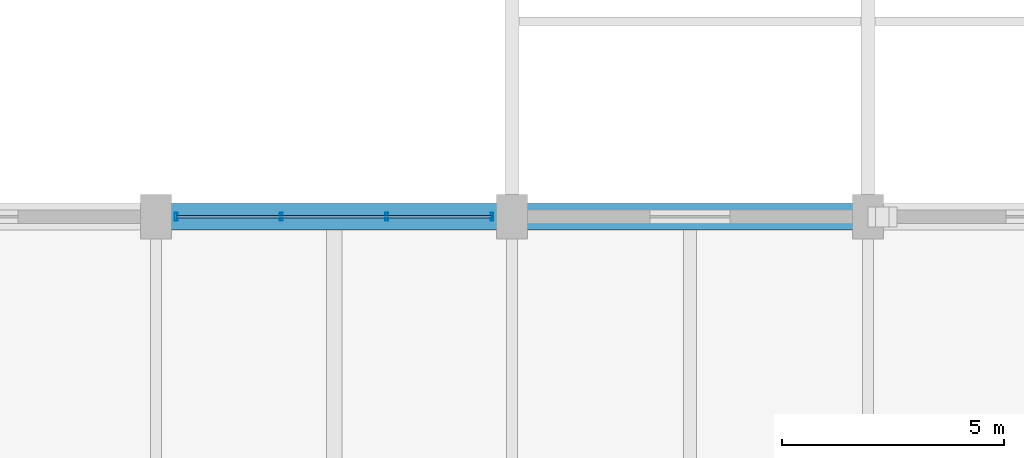
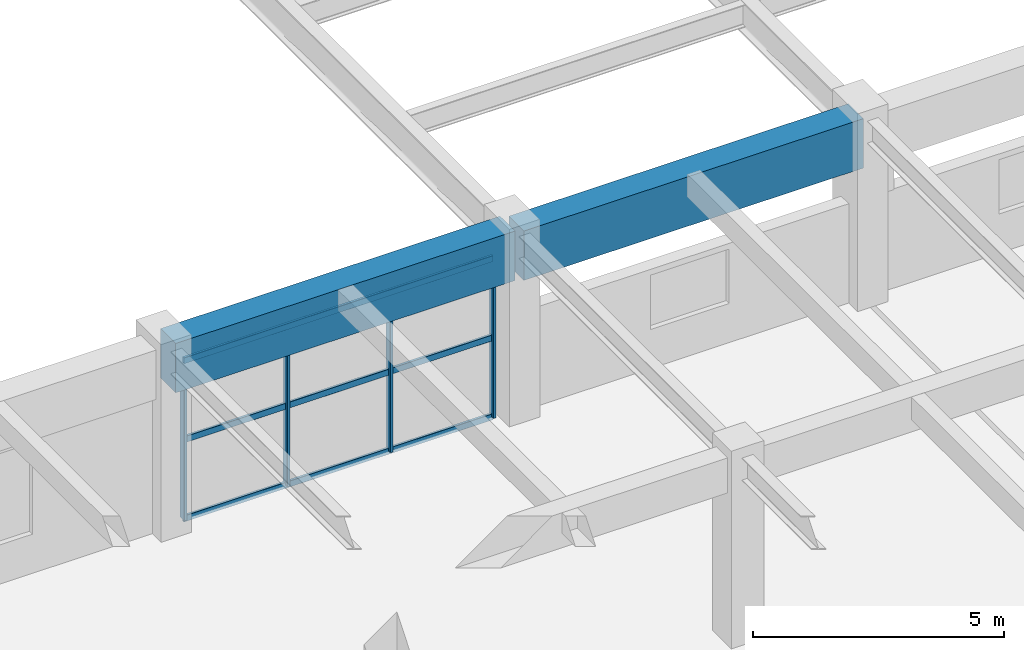
# One storey, part 16 of 144: 7 members, 2 beams, 1 element without a shape of its own.
"""IFC4 building model written with IfcOpenShell, lengths in metres."""

from ifc_helpers import new_model, si_unit, direction, frame, origin, origin_2d, place, context, subcontext, project, spatial, rectangle, hollow_rectangle, extrude, material, material_profile, profile_set, type_object, element, aggregate, save


model = new_model("IFC4")

# Units and contexts
model_context = context("Model", 3, precision=1e-05, world=origin(), true_north=direction((0.0, 1.0)))
body_context = subcontext(model_context, "Body", "Model", "MODEL_VIEW")
ifc_project = project(units=[si_unit("LENGTHUNIT", "METRE"), si_unit("AREAUNIT", "SQUARE_METRE"), si_unit("VOLUMEUNIT", "CUBIC_METRE"), si_unit("PLANEANGLEUNIT", "RADIAN"), si_unit("MASSUNIT", "GRAM", prefix="KILO")], contexts=[model_context])

# Site, building, storey
site_placement = place(None, origin())
site = spatial("IfcSite", under=ifc_project, at=site_placement, CompositionType="ELEMENT")
building_placement = place(site_placement, origin())
building = spatial("IfcBuilding", under=site, at=building_placement, Name="Varnabhumi Central Station", CompositionType="ELEMENT")
storey_placement = place(building_placement, frame((0.0, 0.0, 4.800048828125)))
storey = spatial("IfcBuildingStorey", under=building, at=storey_placement, Name="L01", CompositionType="ELEMENT", Elevation=4.800048828125)

# Beams
ifc_material_1 = material(Name="Concrete M50", Category="concrete")
ifc_material_profile_1 = material_profile(ifc_material_1, rectangle(XDim=0.60009765625, YDim=1.199951171875, at=origin_2d()), Name="Concrete M50", Category="concrete")
ifc_profile_set_1 = profile_set([ifc_material_profile_1], Name="Concrete M50")
beam_type = type_object("IfcBeamType", Name="BM-RC-1200x600", PredefinedType="BEAM", material=ifc_profile_set_1)
for number, where, z_axis, x_axis, name in (
    (1, (48.10009765625, 36.0, 3.949951171875), (1.0, 0.0, 0.0), (0.0, 1.0, 0.0), "Beam L01-E:7-8"),
    (2, (56.10009765625, 36.0, 3.8798828125), (1.0, 0.0, 0.0), (0.0, 1.0, 0.0), "Beam L01-E:8-9"),
):
    element("IfcBeam", number, at=place(storey_placement, frame(where, z_axis=z_axis, x_axis=x_axis)), inside=storey, type_object=beam_type, Name=name, PredefinedType="BEAM", context=body_context, shape_type="SweptSolid", body=[
        extrude(rectangle(XDim=0.60009765625, YDim=1.199951171875, at=origin_2d()), origin(), (0.0, 0.0, 1.0), 7.7998046875),
    ])

# Curtain wall, members
ifc_material_2 = material(Name="Anodised aluminium 6063-T6", Category="aluminium")
curtain_wall_type = type_object("IfcCurtainWallType", Name="CW-SPINE-SCREEN-L0", PredefinedType="NOTDEFINED", material=ifc_material_2)
curtain_wall_placement = place(storey_placement, origin())
curtain_wall = element("IfcCurtainWall", 3, at=curtain_wall_placement, inside=storey, type_object=curtain_wall_type, Name="Curtain Wall CW-SS106", PredefinedType="NOTDEFINED")
ifc_material_profile_2 = material_profile(ifc_material_2, hollow_rectangle(XDim=0.06494140625, YDim=0.179931640625, WallThickness=0.00390625, InnerFilletRadius=0.001953125, OuterFilletRadius=0.006103515625, at=origin_2d()), Name="Anodised aluminium 6063-T6", Category="aluminium")
ifc_profile_set_2 = profile_set([ifc_material_profile_2], Name="Anodised aluminium 6063-T6")
member_type_1 = type_object("IfcMemberType", Name="CW-MUL-180", PredefinedType="MULLION", material=ifc_profile_set_2)
member_1_placement = place(storey_placement, frame((48.449951171875, 36.0, 0.0), z_axis=(0.0, 0.0, 1.0), x_axis=(1.0, 0.0, 0.0)))
member_1 = element("IfcMember", 4, at=member_1_placement, type_object=member_type_1, Name="Curtain Wall Mullion CW-SS106-M1", PredefinedType="MULLION", context=body_context, shape_type="SweptSolid", body=[
    extrude(hollow_rectangle(XDim=0.06494140625, YDim=0.179931640625, WallThickness=0.00390625, InnerFilletRadius=0.001953125, OuterFilletRadius=0.006103515625, at=origin_2d()), origin(), (0.0, 0.0, 1.0), 3.83984375),
])
member_2_placement = place(storey_placement, frame((50.816650390625, 36.0, 0.0), z_axis=(0.0, 0.0, 1.0), x_axis=(1.0, 0.0, 0.0)))
member_2 = element("IfcMember", 5, at=member_2_placement, type_object=member_type_1, Name="Curtain Wall Mullion CW-SS106-M2", PredefinedType="MULLION", context=body_context, shape_type="SweptSolid", body=[
    extrude(hollow_rectangle(XDim=0.06494140625, YDim=0.179931640625, WallThickness=0.00390625, InnerFilletRadius=0.001953125, OuterFilletRadius=0.006103515625, at=origin_2d()), origin(), (0.0, 0.0, 1.0), 3.83984375),
])
member_3_placement = place(storey_placement, frame((53.183349609375, 36.0, 0.0), z_axis=(0.0, 0.0, 1.0), x_axis=(1.0, 0.0, 0.0)))
member_3 = element("IfcMember", 6, at=member_3_placement, type_object=member_type_1, Name="Curtain Wall Mullion CW-SS106-M3", PredefinedType="MULLION", context=body_context, shape_type="SweptSolid", body=[
    extrude(hollow_rectangle(XDim=0.06494140625, YDim=0.179931640625, WallThickness=0.00390625, InnerFilletRadius=0.001953125, OuterFilletRadius=0.006103515625, at=origin_2d()), origin(), (0.0, 0.0, 1.0), 3.83984375),
])
member_4_placement = place(storey_placement, frame((55.550048828125, 36.0, 0.0), z_axis=(0.0, 0.0, 1.0), x_axis=(1.0, 0.0, 0.0)))
member_4 = element("IfcMember", 7, at=member_4_placement, type_object=member_type_1, Name="Curtain Wall Mullion CW-SS106-M4", PredefinedType="MULLION", context=body_context, shape_type="SweptSolid", body=[
    extrude(hollow_rectangle(XDim=0.06494140625, YDim=0.179931640625, WallThickness=0.00390625, InnerFilletRadius=0.001953125, OuterFilletRadius=0.006103515625, at=origin_2d()), origin(), (0.0, 0.0, 1.0), 3.83984375),
])
ifc_material_profile_3 = material_profile(ifc_material_2, hollow_rectangle(XDim=0.06005859375, YDim=0.14990234375, WallThickness=0.00390625, InnerFilletRadius=0.001953125, OuterFilletRadius=0.006103515625, at=origin_2d()), Name="Anodised aluminium 6063-T6", Category="aluminium")
ifc_profile_set_3 = profile_set([ifc_material_profile_3], Name="Anodised aluminium 6063-T6")
member_type_2 = type_object("IfcMemberType", Name="CW-TR-150", PredefinedType="USERDEFINED", material=ifc_profile_set_3)
member_5_placement = place(storey_placement, frame((48.449951171875, 36.0, 0.0), z_axis=(1.0, 0.0, 0.0), x_axis=(0.0, 1.0, 0.0)))
member_5 = element("IfcMember", 8, at=member_5_placement, type_object=member_type_2, Name="Curtain Wall Transom CW-SS106-T1", ObjectType="TRANSOM", PredefinedType="USERDEFINED", context=body_context, shape_type="SweptSolid", body=[
    extrude(hollow_rectangle(XDim=0.06005859375, YDim=0.14990234375, WallThickness=0.00390625, InnerFilletRadius=0.001953125, OuterFilletRadius=0.006103515625, at=origin_2d()), origin(), (0.0, 0.0, 1.0), 7.10009765625),
])
member_6_placement = place(storey_placement, frame((48.449951171875, 36.0, 1.919921875), z_axis=(1.0, 0.0, 0.0), x_axis=(0.0, 1.0, 0.0)))
member_6 = element("IfcMember", 9, at=member_6_placement, type_object=member_type_2, Name="Curtain Wall Transom CW-SS106-T2", ObjectType="TRANSOM", PredefinedType="USERDEFINED", context=body_context, shape_type="SweptSolid", body=[
    extrude(hollow_rectangle(XDim=0.06005859375, YDim=0.14990234375, WallThickness=0.00390625, InnerFilletRadius=0.001953125, OuterFilletRadius=0.006103515625, at=origin_2d()), origin(), (0.0, 0.0, 1.0), 7.10009765625),
])
member_7_placement = place(storey_placement, frame((48.449951171875, 36.0, 3.83984375), z_axis=(1.0, 0.0, 0.0), x_axis=(0.0, 1.0, 0.0)))
member_7 = element("IfcMember", 10, at=member_7_placement, type_object=member_type_2, Name="Curtain Wall Transom CW-SS106-T3", ObjectType="TRANSOM", PredefinedType="USERDEFINED", context=body_context, shape_type="SweptSolid", body=[
    extrude(hollow_rectangle(XDim=0.06005859375, YDim=0.14990234375, WallThickness=0.00390625, InnerFilletRadius=0.001953125, OuterFilletRadius=0.006103515625, at=origin_2d()), origin(), (0.0, 0.0, 1.0), 7.10009765625),
])
aggregate(curtain_wall, [member_1, member_2, member_3, member_4, member_5, member_6, member_7])

save(model, "model.ifc")
